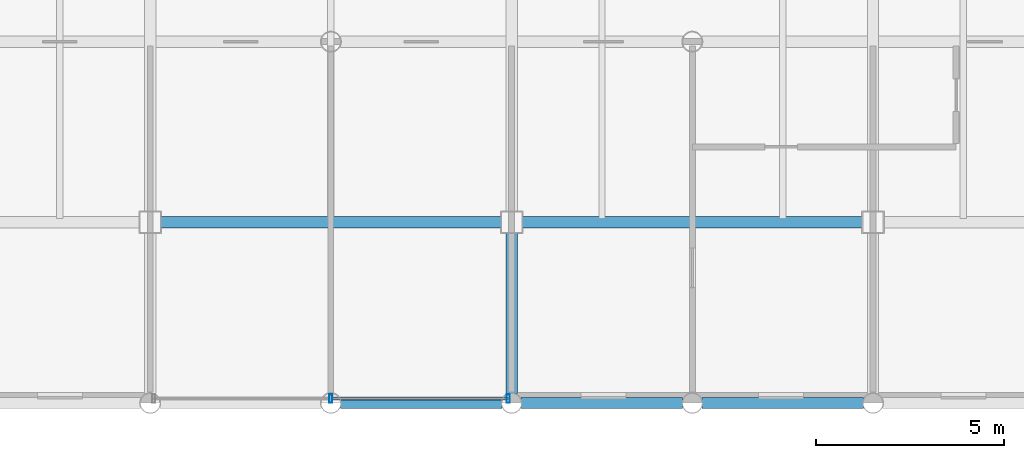
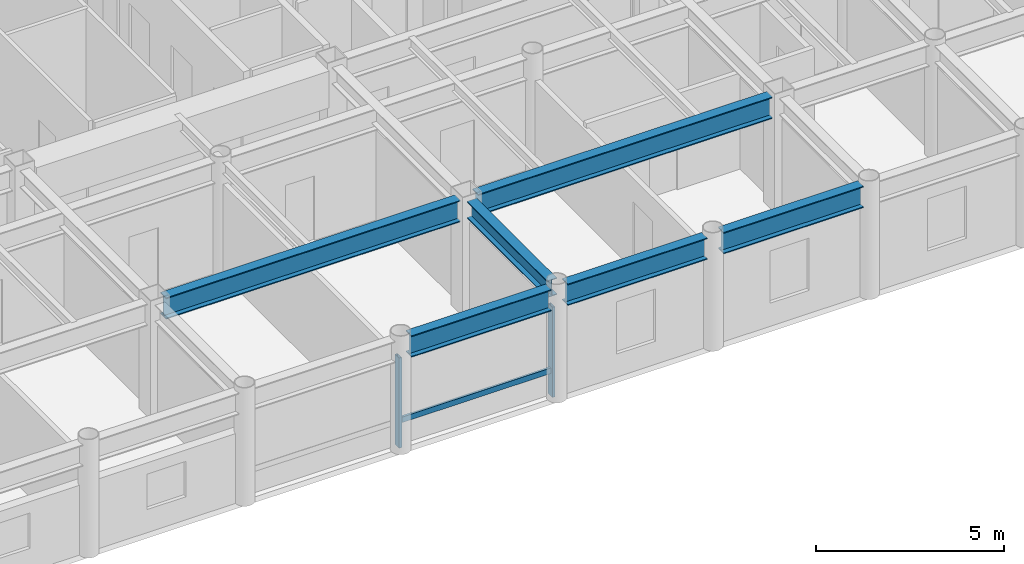
# One storey, part 8 of 22: 6 beams, 3 members, 1 element without a shape of its own.
"""IFC4 building model written with IfcOpenShell, lengths in metres."""

from ifc_helpers import new_model, si_unit, direction, frame, origin, origin_2d, place, context, subcontext, project, spatial, hollow_rectangle, i_section, extrude, material, layer, layer_set, material_profile, profile_set, type_object, element, aggregate, save


model = new_model("IFC4")

# Units and contexts
model_context = context("Model", 3, precision=1e-05, world=origin(), true_north=direction((0.0, 1.0)))
body_context = subcontext(model_context, "Body", "Model", "MODEL_VIEW")
ifc_project = project(units=[si_unit("LENGTHUNIT", "METRE"), si_unit("AREAUNIT", "SQUARE_METRE"), si_unit("VOLUMEUNIT", "CUBIC_METRE"), si_unit("PLANEANGLEUNIT", "RADIAN"), si_unit("MASSUNIT", "GRAM", prefix="KILO")], contexts=[model_context])

# Site, building, storey
site_placement = place(None, origin())
site = spatial("IfcSite", under=ifc_project, at=site_placement, CompositionType="ELEMENT")
building_placement = place(site_placement, origin())
building = spatial("IfcBuilding", under=site, at=building_placement, Name="Kallvorn Hotel Tower", CompositionType="ELEMENT")
storey_placement = place(building_placement, frame((0.0, 0.0, 256.949951171875)))
storey = spatial("IfcBuildingStorey", under=building, at=storey_placement, Name="L64", CompositionType="ELEMENT", Elevation=256.949951171875)

# Beams
ifc_material_1 = material(Name="Structural steel S355JR", Category="steel")
ifc_material_profile_1 = material_profile(ifc_material_1, i_section(OverallWidth=0.300048828125, OverallDepth=0.550048828125, WebThickness=0.014892578125, FlangeThickness=0.029052734375, at=origin_2d()), Name="HE 550 B")
ifc_profile_set_1 = profile_set([ifc_material_profile_1], Name="Structural steel S355JR")
beam_type_1 = type_object("IfcBeamType", Name="BM_HE550B", PredefinedType="SPANDREL", material=ifc_profile_set_1)
beam_1_placement = place(storey_placement, frame((4.800048828125, -18.945556640625, 3.39501953125), z_axis=(0.0, 1.0, 0.0), x_axis=(-1.0, 0.0, 0.0)))
element("IfcBeam", 1, at=beam_1_placement, inside=storey, type_object=beam_type_1, Name="L65 Primary Y-Girder 114", PredefinedType="SPANDREL", context=body_context, shape_type="SweptSolid", body=[
    extrude(i_section(OverallWidth=0.300048828125, OverallDepth=0.550048828125, WebThickness=0.014892578125, FlangeThickness=0.029052734375, at=origin_2d()), origin(), (0.0, 0.0, 1.0), 4.2705078125),
])
ifc_material_2 = material(Name="Structural steel S355JR", Category="steel")
ifc_material_profile_2 = material_profile(ifc_material_2, i_section(OverallWidth=0.300048828125, OverallDepth=0.699951171875, WebThickness=0.01708984375, FlangeThickness=0.031982421875, at=origin_2d()), Name="HE 700 B")
ifc_profile_set_2 = profile_set([ifc_material_profile_2], Name="Structural steel S355JR")
beam_type_2 = type_object("IfcBeamType", Name="BM_HE700B", PredefinedType="BEAM", material=ifc_profile_set_2)
for number, where, z_axis, x_axis, name in (
    (2, (0.25439453125, -19.199951171875, 3.320068359375), (1.0, 0.0, 0.0), (0.0, 1.0, 0.0), "L65 Primary X-Girder 07"),
    (3, (5.054443359375, -19.199951171875, 3.320068359375), (1.0, 0.0, 0.0), (0.0, 1.0, 0.0), "L65 Primary X-Girder 08"),
    (4, (9.8544921875, -19.199951171875, 3.320068359375), (1.0, 0.0, 0.0), (0.0, 1.0, 0.0), "L65 Primary X-Girder 09"),
):
    element("IfcBeam", number, at=place(storey_placement, frame(where, z_axis=z_axis, x_axis=x_axis)), inside=storey, type_object=beam_type_2, Name=name, PredefinedType="BEAM", context=body_context, shape_type="SweptSolid", body=[
        extrude(i_section(OverallWidth=0.300048828125, OverallDepth=0.699951171875, WebThickness=0.01708984375, FlangeThickness=0.031982421875, at=origin_2d()), origin(), (0.0, 0.0, 1.0), 4.291015625),
    ])
beam_2_placement = place(storey_placement, frame((-4.52490234375, -14.39990234375, 3.320068359375), z_axis=(1.0, 0.0, 0.0), x_axis=(0.0, 1.0, 0.0)))
element("IfcBeam", 5, at=beam_2_placement, inside=storey, type_object=beam_type_2, Name="L65 Primary X-Girder 18", PredefinedType="BEAM", context=body_context, shape_type="SweptSolid", body=[
    extrude(i_section(OverallWidth=0.300048828125, OverallDepth=0.699951171875, WebThickness=0.01708984375, FlangeThickness=0.031982421875, at=origin_2d()), origin(), (0.0, 0.0, 1.0), 9.0498046875),
])
beam_3_placement = place(storey_placement, frame((5.074951171875, -14.39990234375, 3.320068359375), z_axis=(1.0, 0.0, 0.0), x_axis=(0.0, 1.0, 0.0)))
element("IfcBeam", 6, at=beam_3_placement, inside=storey, type_object=beam_type_2, Name="L65 Primary X-Girder 19", PredefinedType="BEAM", context=body_context, shape_type="SweptSolid", body=[
    extrude(i_section(OverallWidth=0.300048828125, OverallDepth=0.699951171875, WebThickness=0.01708984375, FlangeThickness=0.031982421875, at=origin_2d()), origin(), (0.0, 0.0, 1.0), 9.050048828125),
])

# Curtain wall, members
ifc_material_3 = material(Name="Thermally broken black-anodised aluminium AA 6063-T6", Category="aluminium")
ifc_layer = layer(ifc_material_3, 0.22998046875)
ifc_layer_set = layer_set([ifc_layer], Name="CW_SYS_5_HOTEL_HIGH")
curtain_wall_type = type_object("IfcCurtainWallType", Name="CW_SYS_5_HOTEL_HIGH", PredefinedType="USERDEFINED", material=ifc_layer_set)
curtain_wall_placement = place(storey_placement, origin())
curtain_wall = element("IfcCurtainWall", 7, at=curtain_wall_placement, inside=storey, type_object=curtain_wall_type, Name="L64 Dark-Glass Curtain Wall CW-L64-SC", ObjectType="UNITISED CURTAIN WALL", PredefinedType="USERDEFINED")
ifc_material_4 = material(Name="Thermally broken black-anodised aluminium AA 6063-T6", Category="aluminium")
ifc_material_profile_3 = material_profile(ifc_material_4, hollow_rectangle(XDim=0.080078125, YDim=0.219970703125, WallThickness=0.0048828125, at=origin_2d()), Name="MUL 220x80")
ifc_profile_set_3 = profile_set([ifc_material_profile_3], Name="Thermally broken black-anodised aluminium AA 6063-T6")
member_type_1 = type_object("IfcMemberType", Name="CW_MULLION_220x80", PredefinedType="MULLION", material=ifc_profile_set_3)
member_1_placement = place(storey_placement, frame((0.0, -19.080078125, 0.02001953125), z_axis=(0.0, 0.0, 1.0), x_axis=(1.0, 0.0, 0.0)))
member_1 = element("IfcMember", 8, at=member_1_placement, type_object=member_type_1, Name="CW-L64-SC Mullion 01", PredefinedType="MULLION", context=body_context, shape_type="SweptSolid", body=[
    extrude(hollow_rectangle(XDim=0.080078125, YDim=0.219970703125, WallThickness=0.0048828125, at=origin_2d()), origin(), (0.0, 0.0, 1.0), 2.929931640625),
])
member_2_placement = place(storey_placement, frame((4.7099609375, -19.080078125, 0.02001953125), z_axis=(0.0, 0.0, 1.0), x_axis=(1.0, 0.0, 0.0)))
member_2 = element("IfcMember", 9, at=member_2_placement, type_object=member_type_1, Name="CW-L64-SC Mullion 02", PredefinedType="MULLION", context=body_context, shape_type="SweptSolid", body=[
    extrude(hollow_rectangle(XDim=0.080078125, YDim=0.219970703125, WallThickness=0.0048828125, at=origin_2d()), origin(), (0.0, 0.0, 1.0), 2.929931640625),
])
ifc_material_5 = material(Name="Thermally broken black-anodised aluminium AA 6063-T6", Category="aluminium")
ifc_material_profile_4 = material_profile(ifc_material_5, hollow_rectangle(XDim=0.070068359375, YDim=0.179931640625, WallThickness=0.00390625, at=origin_2d()), Name="TRN 180x70")
ifc_profile_set_4 = profile_set([ifc_material_profile_4], Name="Thermally broken black-anodised aluminium AA 6063-T6")
member_type_2 = type_object("IfcMemberType", Name="CW_TRANSOM_180x70", PredefinedType="USERDEFINED", material=ifc_profile_set_4)
member_3_placement = place(storey_placement, frame((0.0400390625, -19.080078125, 0.85009765625), z_axis=(1.0, 0.0, 0.0), x_axis=(0.0, 1.0, 0.0)))
member_3 = element("IfcMember", 10, at=member_3_placement, type_object=member_type_2, Name="CW-L64-SC Transom 01M", ObjectType="TRANSOM", PredefinedType="USERDEFINED", context=body_context, shape_type="SweptSolid", body=[
    extrude(hollow_rectangle(XDim=0.070068359375, YDim=0.179931640625, WallThickness=0.00390625, at=origin_2d()), origin(), (0.0, 0.0, 1.0), 4.669921875),
])
aggregate(curtain_wall, [member_1, member_2, member_3])

save(model, "model.ifc")
